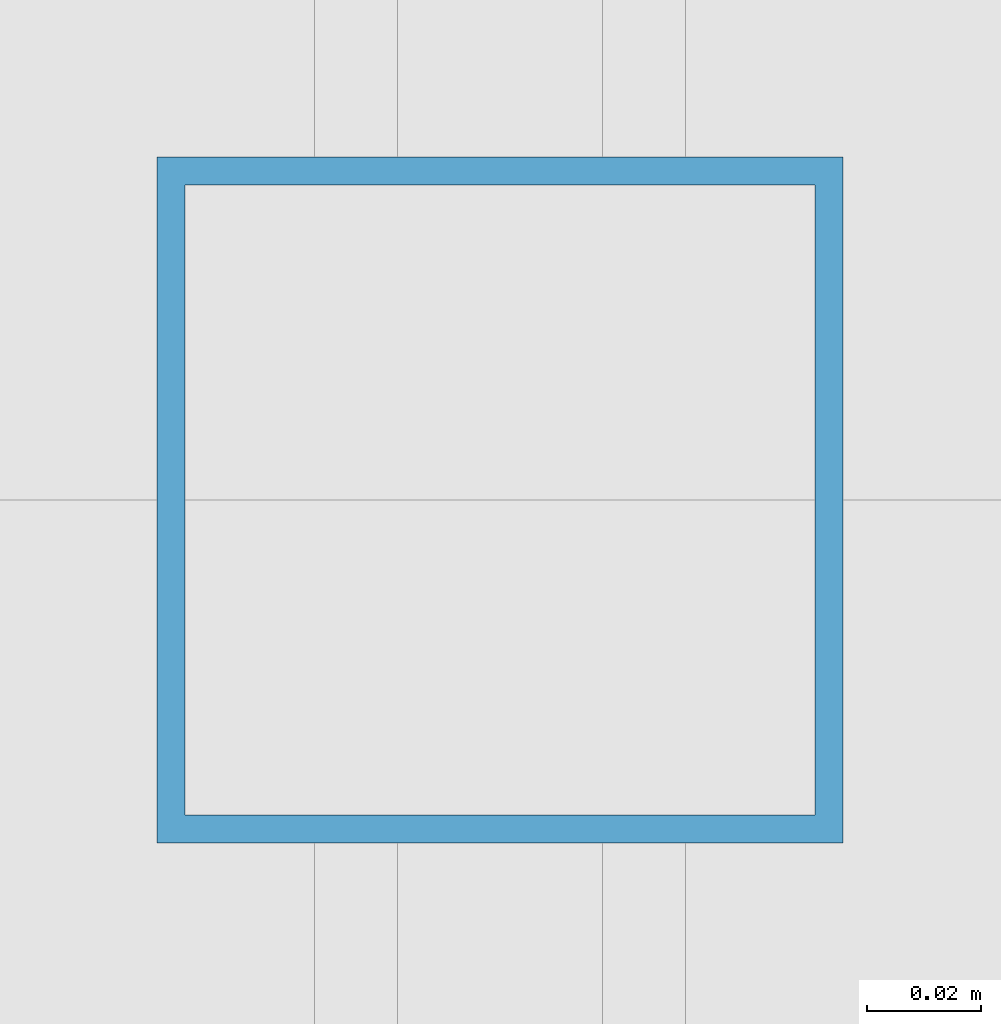
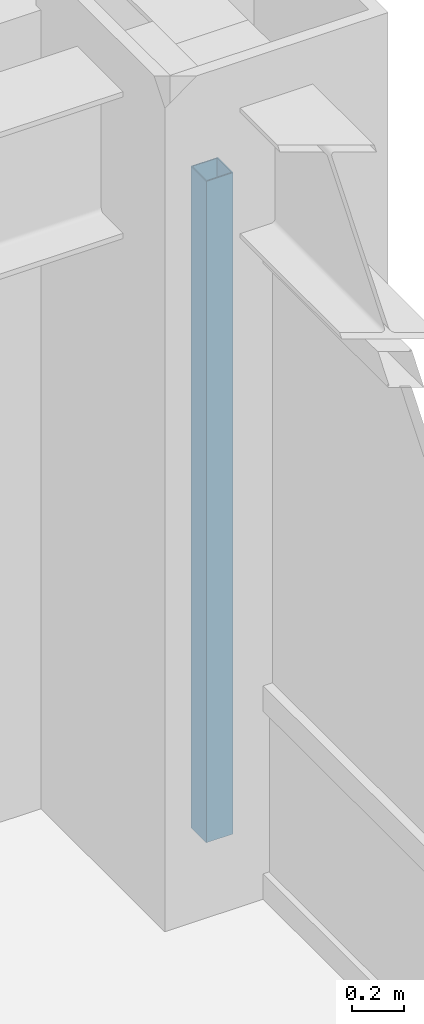
# One storey, part 10 of 24: 1 member, 1 element without a shape of its own.
"""IFC4 building model written with IfcOpenShell, lengths in metres."""

from ifc_helpers import new_model, si_unit, direction, frame, origin, origin_2d, place, context, subcontext, project, spatial, hollow_rectangle, extrude, source, transform, mapped, material, material_profile, profile_set, type_object, element, aggregate, save


model = new_model("IFC4")

# Units and contexts
model_context = context("Model", 3, precision=1e-05, world=origin(), true_north=direction((0.0, 1.0)))
body_context = subcontext(model_context, "Body", "Model", "MODEL_VIEW")
ifc_project = project(units=[si_unit("LENGTHUNIT", "METRE"), si_unit("AREAUNIT", "SQUARE_METRE"), si_unit("VOLUMEUNIT", "CUBIC_METRE"), si_unit("PLANEANGLEUNIT", "RADIAN"), si_unit("MASSUNIT", "GRAM", prefix="KILO")], contexts=[model_context])

# Site, building, storey
site_placement = place(None, origin())
site = spatial("IfcSite", under=ifc_project, at=site_placement, CompositionType="ELEMENT")
building_placement = place(site_placement, origin())
building = spatial("IfcBuilding", under=site, at=building_placement, Name="Khorayat Bourse Tower", CompositionType="ELEMENT")
storey_placement = place(building_placement, frame((0.0, 0.0, 211.10009765625)))
storey = spatial("IfcBuildingStorey", under=building, at=storey_placement, Name="L49", CompositionType="ELEMENT", Elevation=211.10009765625)

# Curtain wall, member
ifc_material = material(Name="Aluminium EN AW-6063 T6", Category="aluminium")
curtain_wall_type = type_object("IfcCurtainWallType", Name="CW-SYS-03", PredefinedType="NOTDEFINED", material=ifc_material)
curtain_wall_placement = place(storey_placement, origin())
curtain_wall = element("IfcCurtainWall", 1, at=curtain_wall_placement, inside=storey, type_object=curtain_wall_type, Name="L49 Curtain Wall CW-L49-E1", PredefinedType="NOTDEFINED")
ifc_material_profile = material_profile(ifc_material, hollow_rectangle(XDim=0.1201171875, YDim=0.1201171875, WallThickness=0.0048828125, at=origin_2d()), Name="ALU 120x120x5")
ifc_profile_set = profile_set([ifc_material_profile], Name="Aluminium EN AW-6063 T6")
member_type = type_object("IfcMemberType", Name="CWM-VERT-120", PredefinedType="MULLION", material=ifc_profile_set)
shared_shape = source(origin(), body_context, "Body", "SweptSolid", [
    extrude(hollow_rectangle(XDim=0.1201171875, YDim=0.1201171875, WallThickness=0.0048828125, at=origin_2d()), origin(), (0.0, 0.0, 1.0), 3.1298828125),
])
member_placement = place(storey_placement, frame((30.0, 0.0, 0.0), z_axis=(0.0, 0.0, 1.0), x_axis=(-1.0, 0.0, 0.0)))
member = element("IfcMember", 2, at=member_placement, type_object=member_type, Name="CW-L49-E1 Vertical Mullion 2", PredefinedType="MULLION", context=body_context, shape_type="MappedRepresentation", body=[
    mapped(shared_shape, transform((0.0, 0.0, 0.0), scale=1.0)),
])
aggregate(curtain_wall, [member])

save(model, "model.ifc")
